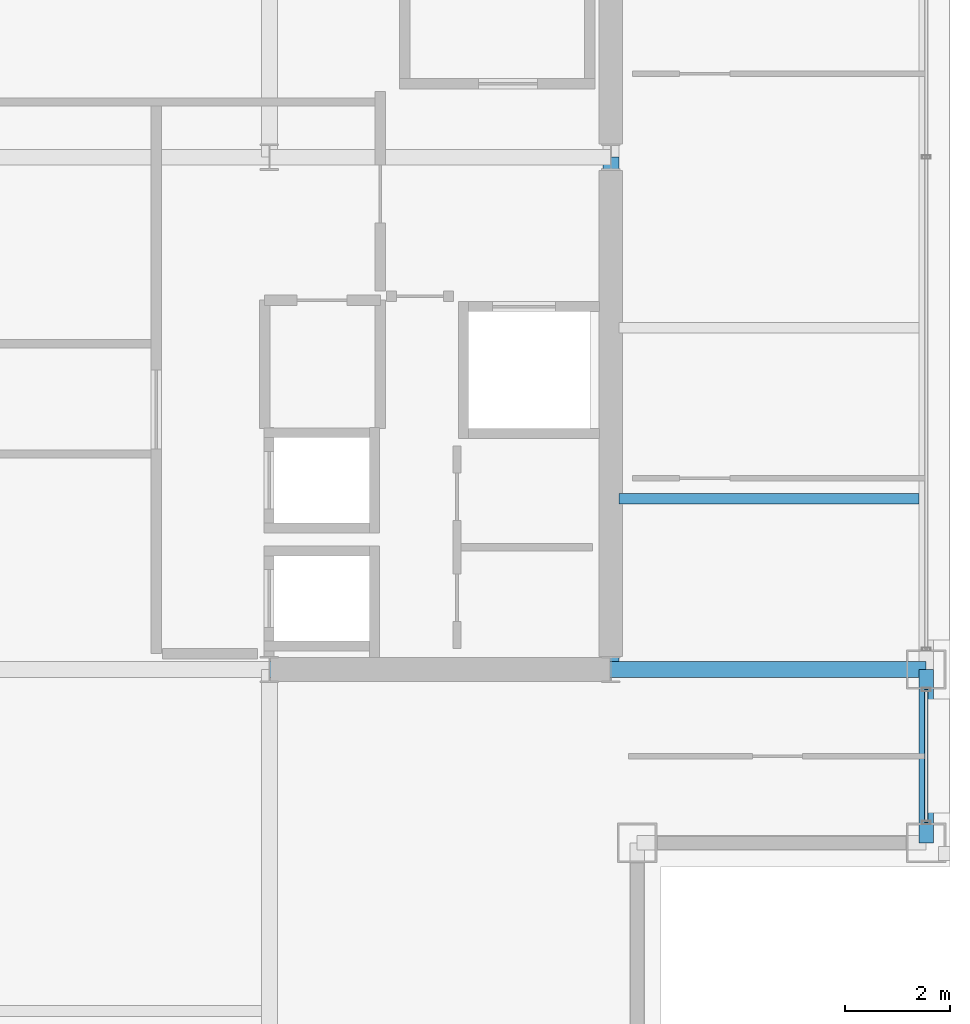
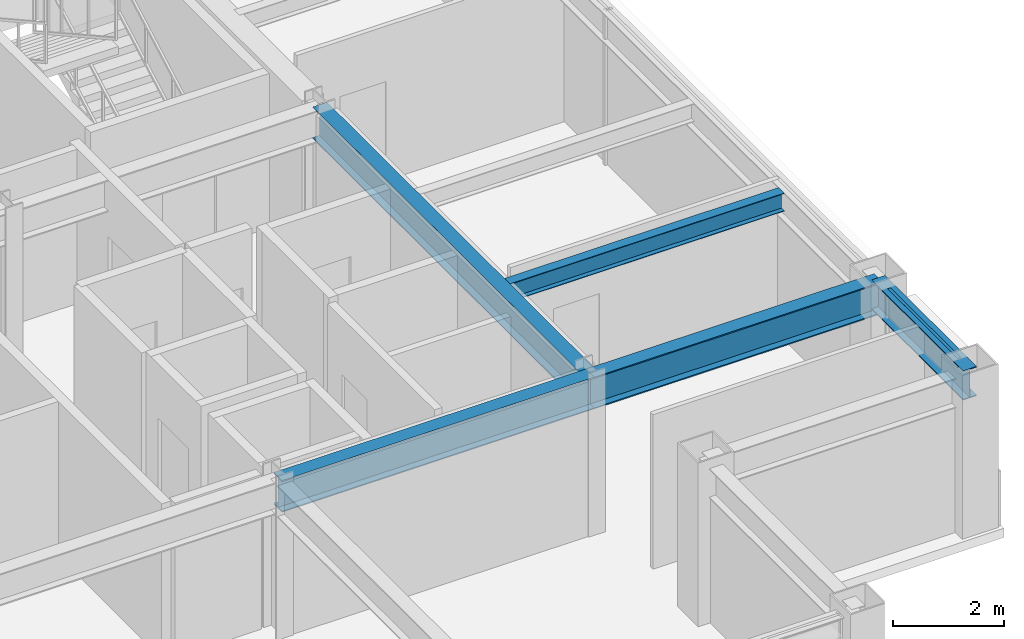
# One storey, part 12 of 28: 5 beams, 1 member, 1 element without a shape of its own.
"""IFC4 building model written with IfcOpenShell, lengths in metres."""

from ifc_helpers import new_model, si_unit, direction, frame, origin, origin_2d, place, context, subcontext, project, spatial, hollow_rectangle, i_section, extrude, material, layer, layer_set, material_profile, profile_set, type_object, element, aggregate, save


model = new_model("IFC4")

# Units and contexts
model_context = context("Model", 3, precision=1e-05, world=origin(), true_north=direction((0.0, 1.0)))
body_context = subcontext(model_context, "Body", "Model", "MODEL_VIEW")
ifc_project = project(units=[si_unit("LENGTHUNIT", "METRE"), si_unit("AREAUNIT", "SQUARE_METRE"), si_unit("VOLUMEUNIT", "CUBIC_METRE"), si_unit("PLANEANGLEUNIT", "RADIAN"), si_unit("MASSUNIT", "GRAM", prefix="KILO")], contexts=[model_context])

# Site, building, storey
site_placement = place(None, origin())
site = spatial("IfcSite", under=ifc_project, at=site_placement, CompositionType="ELEMENT")
building_placement = place(site_placement, origin())
building = spatial("IfcBuilding", under=site, at=building_placement, Name="Brelmoor Portico Tower", CompositionType="ELEMENT")
storey_placement = place(building_placement, frame((0.0, 0.0, 165.89990234375)))
storey = spatial("IfcBuildingStorey", under=building, at=storey_placement, Name="L43", CompositionType="ELEMENT", Elevation=165.89990234375)

# Beams
ifc_material_1 = material(Name="Steel Q355B", Category="steel")
ifc_material_profile_1 = material_profile(ifc_material_1, i_section(OverallWidth=0.199951171875, OverallDepth=0.39990234375, WebThickness=0.008056640625, FlangeThickness=0.012939453125, at=origin_2d()), Name="HN 400x200x8x13")
ifc_profile_set_1 = profile_set([ifc_material_profile_1], Name="Steel Q355B")
beam_type_1 = type_object("IfcBeamType", Name="BM-JS-400", PredefinedType="JOIST", material=ifc_profile_set_1)
beam_1_placement = place(storey_placement, frame((14.699951171875, -6.5, 3.2001953125), z_axis=(1.0, 0.0, 0.0), x_axis=(0.0, 1.0, 0.0)))
element("IfcBeam", 1, at=beam_1_placement, inside=storey, type_object=beam_type_1, Name="L43 Secondary Wing Joist JS-E09", PredefinedType="JOIST", context=body_context, shape_type="SweptSolid", body=[
    extrude(i_section(OverallWidth=0.199951171875, OverallDepth=0.39990234375, WebThickness=0.008056640625, FlangeThickness=0.012939453125, at=origin_2d()), origin(), (0.0, 0.0, 1.0), 5.7099609375),
])
ifc_material_profile_2 = material_profile(ifc_material_1, i_section(OverallWidth=0.300048828125, OverallDepth=0.699951171875, WebThickness=0.012939453125, FlangeThickness=0.02392578125, at=origin_2d()), Name="HN 700x300x13x24")
ifc_profile_set_2 = profile_set([ifc_material_profile_2], Name="Steel Q355B")
beam_type_2 = type_object("IfcBeamType", Name="BM-PG-700", PredefinedType="BEAM", material=ifc_profile_set_2)
beam_2_placement = place(storey_placement, frame((14.550048828125, -9.75, 3.050048828125), z_axis=(0.0, 1.0, 0.0), x_axis=(-1.0, 0.0, 0.0)))
element("IfcBeam", 2, at=beam_2_placement, inside=storey, type_object=beam_type_2, Name="L43 Primary Floor Girder PG-09", PredefinedType="BEAM", context=body_context, shape_type="SweptSolid", body=[
    extrude(i_section(OverallWidth=0.300048828125, OverallDepth=0.699951171875, WebThickness=0.012939453125, FlangeThickness=0.02392578125, at=origin_2d()), origin(), (0.0, 0.0, 1.0), 9.75),
])
beam_3_placement = place(storey_placement, frame((8.050048828125, -9.75, 3.050048828125), z_axis=(1.0, 0.0, 0.0), x_axis=(0.0, 1.0, 0.0)))
element("IfcBeam", 3, at=beam_3_placement, inside=storey, type_object=beam_type_2, Name="L43 Primary Floor Girder PG-14", PredefinedType="BEAM", context=body_context, shape_type="SweptSolid", body=[
    extrude(i_section(OverallWidth=0.300048828125, OverallDepth=0.699951171875, WebThickness=0.012939453125, FlangeThickness=0.02392578125, at=origin_2d()), origin(), (0.0, 0.0, 1.0), 6.5),
])
beam_4_placement = place(storey_placement, frame((14.550048828125, -9.75, 3.050048828125), z_axis=(1.0, 0.0, 0.0), x_axis=(0.0, 1.0, 0.0)))
element("IfcBeam", 4, at=beam_4_placement, inside=storey, type_object=beam_type_2, Name="L43 Primary Floor Girder PG-15", PredefinedType="BEAM", context=body_context, shape_type="SweptSolid", body=[
    extrude(i_section(OverallWidth=0.300048828125, OverallDepth=0.699951171875, WebThickness=0.012939453125, FlangeThickness=0.02392578125, at=origin_2d()), origin(), (0.0, 0.0, 1.0), 6.0),
])
ifc_material_profile_3 = material_profile(ifc_material_1, i_section(OverallWidth=0.280029296875, OverallDepth=0.64990234375, WebThickness=0.012939453125, FlangeThickness=0.02197265625, at=origin_2d()), Name="HN 650x280x13x22")
ifc_profile_set_3 = profile_set([ifc_material_profile_3], Name="Steel Q355B")
beam_type_3 = type_object("IfcBeamType", Name="BM-SP-650", PredefinedType="SPANDREL", material=ifc_profile_set_3)
beam_5_placement = place(storey_placement, frame((20.550048828125, -13.050048828125, 3.0751953125), z_axis=(0.0, 1.0, 0.0), x_axis=(-1.0, 0.0, 0.0)))
element("IfcBeam", 5, at=beam_5_placement, inside=storey, type_object=beam_type_3, Name="L43 Perimeter Spandrel Beam SP-18", PredefinedType="SPANDREL", context=body_context, shape_type="SweptSolid", body=[
    extrude(i_section(OverallWidth=0.280029296875, OverallDepth=0.64990234375, WebThickness=0.012939453125, FlangeThickness=0.02197265625, at=origin_2d()), origin(), (0.0, 0.0, 1.0), 3.300048828125),
])

# Curtain wall, member
ifc_material_2 = material(Name="Anodised Aluminium Alloy 6063-T6", Category="aluminium")
ifc_layer = layer(ifc_material_2, 0.179931640625)
ifc_layer_set = layer_set([ifc_layer], Name="Anodised Aluminium Alloy 6063-T6")
curtain_wall_type = type_object("IfcCurtainWallType", Name="CW-TOWER-Z3-XB", PredefinedType="NOTDEFINED", material=ifc_layer_set)
curtain_wall_placement = place(storey_placement, origin())
curtain_wall = element("IfcCurtainWall", 6, at=curtain_wall_placement, inside=storey, type_object=curtain_wall_type, Name="L43 Curtain Wall CW-L43-04-1", PredefinedType="NOTDEFINED")
ifc_material_profile_4 = material_profile(ifc_material_2, hollow_rectangle(XDim=0.06005859375, YDim=0.125, WallThickness=0.00341796875, at=origin_2d()), Name="ALU TRANSOM 60x125")
ifc_profile_set_4 = profile_set([ifc_material_profile_4], Name="Anodised Aluminium Alloy 6063-T6")
member_type = type_object("IfcMemberType", Name="MB-CW-TRAN-125", PredefinedType="USERDEFINED", material=ifc_profile_set_4)
member_placement = place(storey_placement, frame((20.550048828125, -12.6650390625, 3.337646484375), z_axis=(0.0, 1.0, 0.0), x_axis=(-1.0, 0.0, 0.0)))
member = element("IfcMember", 7, at=member_placement, type_object=member_type, Name="CW-L43-04-1 Transom 1-00", ObjectType="TRANSOM", PredefinedType="USERDEFINED", context=body_context, shape_type="SweptSolid", body=[
    extrude(hollow_rectangle(XDim=0.06005859375, YDim=0.125, WallThickness=0.00341796875, at=origin_2d()), origin(), (0.0, 0.0, 1.0), 2.530029296875),
])
aggregate(curtain_wall, [member])

save(model, "model.ifc")
